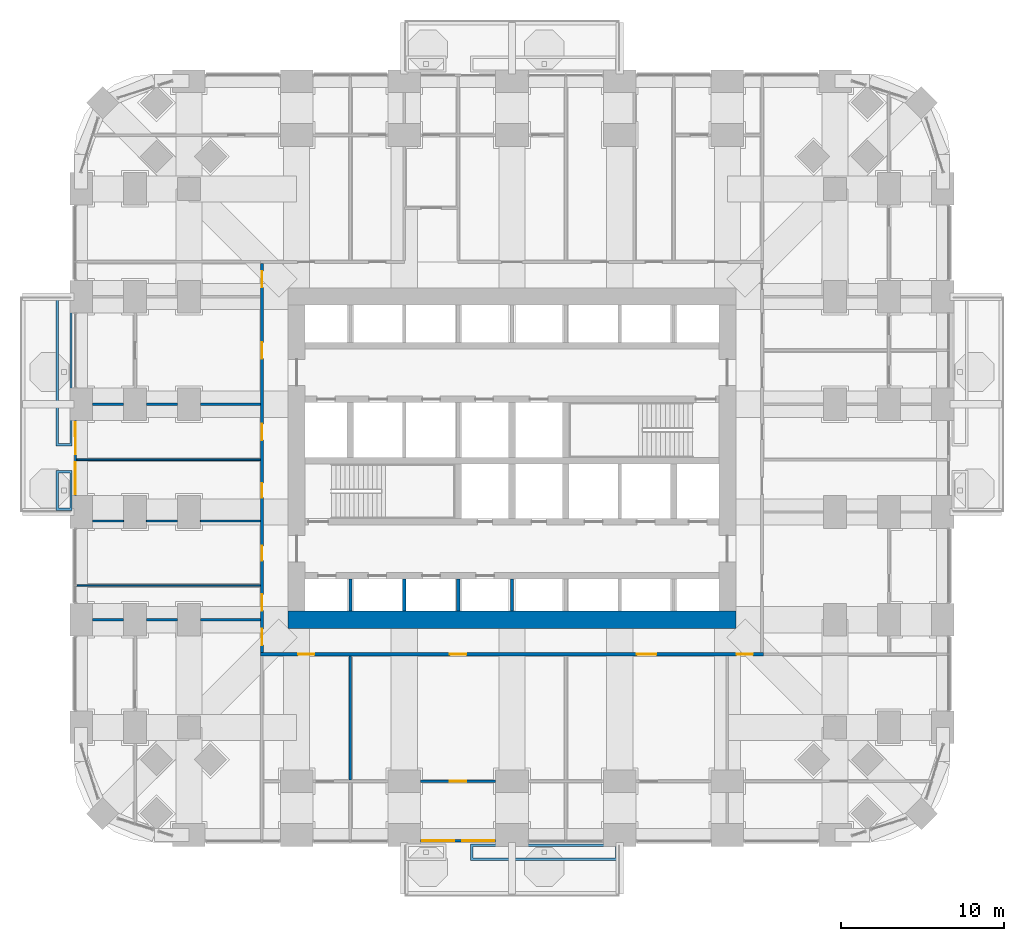
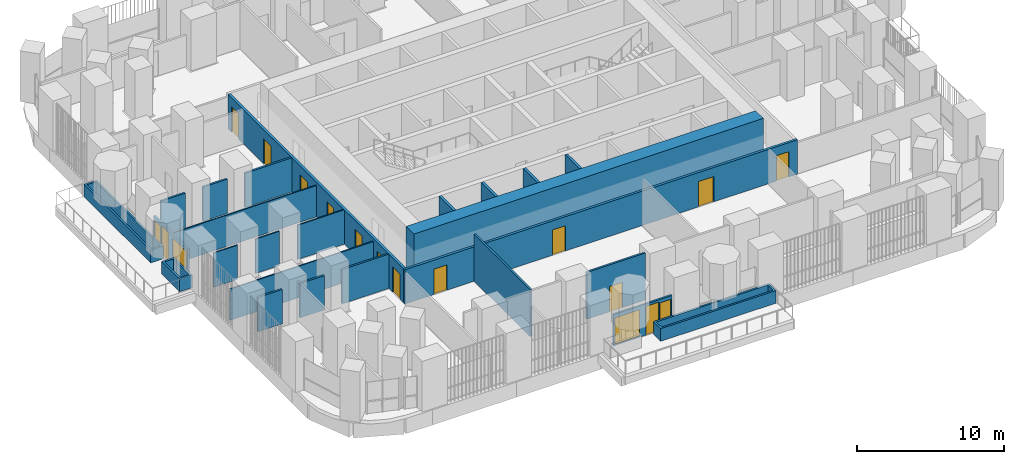
# One storey, part 16 of 25: 25 walls, 14 doors, 4 windows, 18 openings.
"""IFC4 building model written with IfcOpenShell, lengths in metres."""

import ifcopenshell
import ifcopenshell.guid

model = None  # the IFC model being written
_history = None  # IfcOwnerHistory: only IFC2X3 demands one
_inside = {}  # id of a spatial element -> (the spatial element, [elements in it])
_under = {}  # id of a project, library or spatial element -> (it, [spatial elements below it])
_declared = {}  # id of a project -> (the project, [libraries it declares])
_typed = {}  # id of a type object -> (the type object, [elements of that type])
_made_of = {}  # id of a material, layer set ... -> (it, [elements and type objects made of it])


def new_model(schema):
    """Start an empty IFC model of exactly this schema.

    Asked for "IFC4X3", IfcOpenShell would pick the latest addendum, in which some entities
    have other attributes; the version numbers below select the first issue.
    IFC2X3 requires an IfcOwnerHistory on every rooted entity: one is made here for all.
    """
    global model, _history
    if schema == "IFC4X3":
        model = ifcopenshell.file(schema_version=(4, 3, 0, 0))
    else:
        model = ifcopenshell.file(schema=schema)
    _inside.clear()
    _under.clear()
    _declared.clear()
    _typed.clear()
    _made_of.clear()
    _history = None
    if model.schema == "IFC2X3":
        org = make("IfcOrganization", Name="unknown")
        user = make(
            "IfcPersonAndOrganization",
            ThePerson=make("IfcPerson", FamilyName="unknown"),
            TheOrganization=org,
        )
        app = make(
            "IfcApplication",
            ApplicationDeveloper=org,
            Version="unknown",
            ApplicationFullName="unknown",
            ApplicationIdentifier="unknown",
        )
        _history = make(
            "IfcOwnerHistory",
            OwningUser=user,
            OwningApplication=app,
            ChangeAction="ADDED",
            CreationDate=0,
        )
    return model


def make(cls, **values):
    """One entity of the class cls with the attributes given. An attribute that is None is left unset."""
    return model.create_entity(
        cls, **{name: value for name, value in values.items() if value is not None}
    )


def rooted(cls, **values):
    """An entity with a GlobalId (a new one), such as an element, a storey or a relation."""
    return make(cls, GlobalId=ifcopenshell.guid.new(), OwnerHistory=_history, **values)


def si_unit(unit_type, name, prefix=None):
    """IfcSIUnit, for example si_unit("LENGTHUNIT", "METRE", prefix="MILLI")."""
    return make("IfcSIUnit", UnitType=unit_type, Prefix=prefix, Name=name)


def assignment(units):
    """IfcUnitAssignment: the units of a project."""
    return None if units is None else make("IfcUnitAssignment", Units=units)


def point(xyz):
    """IfcCartesianPoint."""
    return None if xyz is None else make("IfcCartesianPoint", Coordinates=xyz)


def direction(xyz):
    """IfcDirection."""
    return None if xyz is None else make("IfcDirection", DirectionRatios=xyz)


def frame(location, z_axis=None, x_axis=None):
    """IfcAxis2Placement3D, a coordinate frame: its origin and axes. An axis left out is left unset."""
    return make(
        "IfcAxis2Placement3D",
        Location=point(location),
        Axis=direction(z_axis),
        RefDirection=direction(x_axis),
    )


def frame_2d(location, x_axis=None):
    """IfcAxis2Placement2D, a coordinate frame in the plane: its origin and x axis."""
    return make(
        "IfcAxis2Placement2D", Location=point(location), RefDirection=direction(x_axis)
    )


def origin():
    """The frame at (0, 0, 0) with its axes left unset."""
    return frame((0.0, 0.0, 0.0))


def place(relative_to, where):
    """IfcLocalPlacement: puts the frame where relative to a parent placement (None: the world)."""
    return make(
        "IfcLocalPlacement", PlacementRelTo=relative_to, RelativePlacement=where
    )


def context(
    kind, dimensions, precision=None, world=None, true_north=None, identifier=None
):
    """IfcGeometricRepresentationContext, for example the 3D "Model" context."""
    return make(
        "IfcGeometricRepresentationContext",
        ContextIdentifier=identifier,
        ContextType=kind,
        CoordinateSpaceDimension=dimensions,
        Precision=precision,
        WorldCoordinateSystem=world,
        TrueNorth=true_north,
    )


def subcontext(parent, identifier, kind, view, scale=None):
    """IfcGeometricRepresentationSubContext, for example "Body" below "Model"."""
    return make(
        "IfcGeometricRepresentationSubContext",
        ContextIdentifier=identifier,
        ContextType=kind,
        ParentContext=parent,
        TargetScale=scale,
        TargetView=view,
    )


def project(units=None, contexts=None):
    """IfcProject with its units and contexts."""
    return rooted(
        "IfcProject",
        Name="project",
        RepresentationContexts=contexts,
        UnitsInContext=assignment(units),
    )


def spatial(cls, under=None, at=None, **own):
    """A site, building, storey or space (cls), placed at a placement, below another one or the project."""
    s = rooted(cls, ObjectPlacement=at, **own)
    if under is not None:
        _under.setdefault(under.id(), (under, []))[1].append(s)
    return s


def polyline(points):
    """IfcPolyline through the points."""
    return make("IfcPolyline", Points=[point(p) for p in points])


def profile(cls, at=None, kind="AREA", **sizes):
    """A parametric profile (cls). Its sizes go by their IFC names, for example OverallWidth=200.0."""
    return make(cls, ProfileType=kind, Position=at, **sizes)


def rectangle(**sizes):
    """IfcRectangleProfileDef."""
    return profile("IfcRectangleProfileDef", **sizes)


def outline(outer, holes=None, kind="AREA"):
    """IfcArbitraryClosedProfileDef: a profile drawn as a closed curve; with holes, ...WithVoids."""
    if holes is None:
        return make("IfcArbitraryClosedProfileDef", ProfileType=kind, OuterCurve=outer)
    return make(
        "IfcArbitraryProfileDefWithVoids",
        ProfileType=kind,
        OuterCurve=outer,
        InnerCurves=holes,
    )


def extrude(swept, where, along, depth):
    """IfcExtrudedAreaSolid: the profile swept, set in the frame where, extruded along a direction by depth."""
    return make(
        "IfcExtrudedAreaSolid",
        SweptArea=swept,
        Position=where,
        ExtrudedDirection=direction(along),
        Depth=depth,
    )


def shape(context_of_items, identifier, shape_type, items):
    """IfcShapeRepresentation: the items that make up one representation, for example the "Body"."""
    return make(
        "IfcShapeRepresentation",
        ContextOfItems=context_of_items,
        RepresentationIdentifier=identifier,
        RepresentationType=shape_type,
        Items=items,
    )


def material(Name=None, Category=None):
    """IfcMaterial."""
    return make("IfcMaterial", Name=Name, Category=Category)


def layer(
    of_material, thickness, ventilated=None, Name=None, Category=None, Priority=None
):
    """IfcMaterialLayer: one layer of a wall or slab, of a material (None: an air gap)."""
    return make(
        "IfcMaterialLayer",
        Material=of_material,
        LayerThickness=thickness,
        IsVentilated=ventilated,
        Name=Name,
        Category=Category,
        Priority=Priority,
    )


def layer_set(layers, Name=None):
    """IfcMaterialLayerSet."""
    return make("IfcMaterialLayerSet", MaterialLayers=layers, LayerSetName=Name)


def made_of(thing, what):
    """Note that an element or type object is made of a material, layer set ...; save() writes the relation."""
    if what is not None:
        _made_of.setdefault(what.id(), (what, []))[1].append(thing)
    return thing


def type_object(cls, material=None, **own):
    """A type object (cls), such as IfcWallType, which elements share."""
    return made_of(rooted(cls, **own), material)


def element(
    cls,
    number,
    at=None,
    inside=None,
    cuts=None,
    type_object=None,
    material=None,
    context=None,
    identifier="Body",
    shape_type=None,
    held_by="IfcProductDefinitionShape",
    body=None,
    shapes=None,
    **own,
):
    """One element of the class cls, such as IfcWall. Its Tag is "e" and its number.

    at: its placement. inside: the storey or other place that contains it. cuts: it is an
    opening in that element (IfcRelVoidsElement). A single representation is given by context,
    identifier, shape_type and body (its items); several are given by shapes. held_by: the class
    of the entity that holds the representations. save() writes the other relations.
    """
    e = rooted(cls, Tag="e%d" % number, ObjectPlacement=at, **own)
    if body is not None:
        shapes = [shape(context, identifier, shape_type, body)]
    if shapes is not None:
        e.Representation = make(held_by, Representations=shapes)
    if inside is not None:
        _inside.setdefault(inside.id(), (inside, []))[1].append(e)
    if cuts is not None:
        rooted(
            "IfcRelVoidsElement", RelatingBuildingElement=cuts, RelatedOpeningElement=e
        )
    if type_object is not None:
        _typed.setdefault(type_object.id(), (type_object, []))[1].append(e)
    return made_of(e, material)


def fill(opening, filler):
    """IfcRelFillsElement: the door or window that sits in an opening."""
    return rooted(
        "IfcRelFillsElement",
        RelatingOpeningElement=opening,
        RelatedBuildingElement=filler,
    )


def aggregate(whole, parts):
    """IfcRelAggregates: a whole, such as a stair, and the parts it consists of."""
    return rooted("IfcRelAggregates", RelatingObject=whole, RelatedObjects=parts)


def save(model, path):
    """Write the relations noted so far, then the file.

    IfcRelAggregates (storeys below a building ...), IfcRelContainedInSpatialStructure (elements
    in a storey), IfcRelDefinesByType, IfcRelAssociatesMaterial and IfcRelDeclares: one each for
    every whole, place, type object, material and project.
    """
    for whole, parts in _under.values():
        aggregate(whole, parts)
    for where, things in _inside.values():
        rooted(
            "IfcRelContainedInSpatialStructure",
            RelatedElements=things,
            RelatingStructure=where,
        )
    for kind, things in _typed.values():
        rooted("IfcRelDefinesByType", RelatedObjects=things, RelatingType=kind)
    for what, things in _made_of.values():
        rooted("IfcRelAssociatesMaterial", RelatedObjects=things, RelatingMaterial=what)
    for by, libraries in _declared.values():
        rooted("IfcRelDeclares", RelatingContext=by, RelatedDefinitions=libraries)
    model.write(path)


model = new_model("IFC4")

# Units and contexts
model_context = context("Model", 3, precision=1e-05, world=origin(), true_north=direction((0.0, 1.0)))
body_context = subcontext(model_context, "Body", "Model", "MODEL_VIEW")
ifc_project = project(units=[si_unit("LENGTHUNIT", "METRE"), si_unit("AREAUNIT", "SQUARE_METRE"), si_unit("VOLUMEUNIT", "CUBIC_METRE"), si_unit("PLANEANGLEUNIT", "RADIAN"), si_unit("MASSUNIT", "GRAM", prefix="KILO")], contexts=[model_context])

# Site, building, storey
site_placement = place(None, origin())
site = spatial("IfcSite", under=ifc_project, at=site_placement, CompositionType="ELEMENT")
building_placement = place(site_placement, origin())
building = spatial("IfcBuilding", under=site, at=building_placement, Name="Cobogo Forest Laboratory Tower", CompositionType="ELEMENT")
storey_placement = place(building_placement, frame((0.0, 0.0, 67.5)))
storey = spatial("IfcBuildingStorey", under=building, at=storey_placement, Name="L15", CompositionType="ELEMENT", Elevation=67.5)

# Wall
ifc_material_1 = material(Name="Concrete HA-50 (C50/60)", Category="concrete")
ifc_layer_1 = layer(ifc_material_1, 1.050048828125)
ifc_layer_set_1 = layer_set([ifc_layer_1], Name="CW1050 core outer wall 1050")
wall_type_1 = type_object("IfcWallType", Name="CW1050 core outer wall 1050", PredefinedType="SHEAR", material=ifc_layer_set_1)
wall_1_placement = place(storey_placement, frame((12.675048828125, 13.199951171875, 0.0), z_axis=(0.0, 0.0, 1.0), x_axis=(1.0, 0.0, 0.0)))
element("IfcWall", 1, at=wall_1_placement, inside=storey, type_object=wall_type_1, Name="Core wall CO-S L15", PredefinedType="SHEAR", context=body_context, shape_type="SweptSolid", body=[
    extrude(rectangle(XDim=27.449951171875, YDim=1.050048828125, at=frame_2d((13.72509765625, 0.0))), origin(), (0.0, 0.0, 1.0), 4.199951171875),
])

# Wall, openings, door, windows
ifc_material_2 = material(Name="Aluminium framed glazed screen", Category="aluminium")
ifc_layer_2 = layer(ifc_material_2, 0.14990234375)
ifc_layer_set_2 = layer_set([ifc_layer_2], Name="GS1 glazed door screen 150")
wall_type_2 = type_object("IfcWallType", Name="GS1 glazed door screen 150", PredefinedType="SOLIDWALL", material=ifc_layer_set_2)
wall_2_placement = place(storey_placement, frame((20.800048828125, -0.35009765625, 0.0), z_axis=(0.0, 0.0, 1.0), x_axis=(1.0, 0.0, 0.0)))
wall_2 = element("IfcWall", 2, at=wall_2_placement, inside=storey, type_object=wall_type_2, Name="Door screen BAL-S1 L15", PredefinedType="SOLIDWALL", context=body_context, shape_type="SweptSolid", body=[
    extrude(rectangle(XDim=4.599853515625, YDim=0.14990234375, at=frame_2d((2.2998046875, 0.0))), origin(), (0.0, 0.0, 1.0), 2.60009765625),
])
opening_1_placement = place(wall_2_placement, frame((2.550048828125, 0.0, 0.0)))
opening_1 = element("IfcOpeningElement", 3, at=opening_1_placement, cuts=wall_2, Name="Opening L15-D01", PredefinedType="OPENING", context=body_context, shape_type="SweptSolid", body=[
    extrude(rectangle(XDim=1.0, YDim=2.39990234375, at=frame_2d((0.5, 1.199951171875))), frame((0.0, 0.0849609375, 0.0), z_axis=(0.0, -1.0, 0.0), x_axis=(1.0, 0.0, 0.0)), (0.0, 0.0, 1.0), 0.169921875),
])
opening_2_placement = place(wall_2_placement, frame((0.10009765625, 0.0, 0.10009765625)))
opening_2 = element("IfcOpeningElement", 4, at=opening_2_placement, cuts=wall_2, Name="Opening L15-W01", PredefinedType="OPENING", context=body_context, shape_type="SweptSolid", body=[
    extrude(rectangle(XDim=1.949951171875, YDim=2.199951171875, at=frame_2d((0.97509765625, 1.10009765625))), frame((0.0, 0.0849609375, 0.0), z_axis=(0.0, -1.0, 0.0), x_axis=(1.0, 0.0, 0.0)), (0.0, 0.0, 1.0), 0.169921875),
])
opening_3_placement = place(wall_2_placement, frame((3.64990234375, 0.0, 0.10009765625)))
opening_3 = element("IfcOpeningElement", 5, at=opening_3_placement, cuts=wall_2, Name="Opening L15-W02", PredefinedType="OPENING", context=body_context, shape_type="SweptSolid", body=[
    extrude(rectangle(XDim=0.85009765625, YDim=2.199951171875, at=frame_2d((0.425048828125, 1.10009765625))), frame((0.0, 0.0849609375, 0.0), z_axis=(0.0, -1.0, 0.0), x_axis=(1.0, 0.0, 0.0)), (0.0, 0.0, 1.0), 0.169921875),
])
ifc_material_3 = material(Name="Aluminium glazed door", Category="aluminium")
door_type_1 = type_object("IfcDoorType", Name="DB1 balcony door 1000 glazed", OperationType="SINGLE_SWING_LEFT", PredefinedType="DOOR", material=ifc_material_3)
door_1_placement = place(opening_1_placement, origin())
door_1 = element("IfcDoor", 6, at=door_1_placement, inside=storey, type_object=door_type_1, Name="Door L15-BAL-S1", OperationType="SINGLE_SWING_RIGHT", OverallHeight=2.39990234375, OverallWidth=1.0, PredefinedType="DOOR", context=body_context, shape_type="SweptSolid", body=[
    extrude(rectangle(XDim=1.0, YDim=2.39990234375, at=frame_2d((0.5, 1.199951171875))), frame((0.0, 0.02490234375, 0.0), z_axis=(0.0, -1.0, 0.0), x_axis=(1.0, 0.0, 0.0)), (0.0, 0.0, 1.0), 0.050048828125),
])
fill(opening_1, door_1)
ifc_material_4 = material(Name="Aluminium framed glazing", Category="aluminium")
window_type_1 = type_object("IfcWindowType", Name="WG7 fixed glazed light 1950x2200", PartitioningType="SINGLE_PANEL", PredefinedType="WINDOW", material=ifc_material_4)
window_1_placement = place(opening_2_placement, origin())
window_1 = element("IfcWindow", 7, at=window_1_placement, inside=storey, type_object=window_type_1, Name="Window L15-BAL-S1-1", OverallHeight=2.199951171875, OverallWidth=1.949951171875, PartitioningType="SINGLE_PANEL", PredefinedType="WINDOW", context=body_context, shape_type="SweptSolid", body=[
    extrude(rectangle(XDim=1.949951171875, YDim=2.199951171875, at=frame_2d((0.97509765625, 1.10009765625))), frame((0.0, 0.030029296875, 0.0), z_axis=(0.0, -1.0, 0.0), x_axis=(1.0, 0.0, 0.0)), (0.0, 0.0, 1.0), 0.06005859375),
])
fill(opening_2, window_1)
window_type_2 = type_object("IfcWindowType", Name="WG8 fixed glazed light 850x2200", PartitioningType="SINGLE_PANEL", PredefinedType="WINDOW", material=ifc_material_4)
window_2_placement = place(opening_3_placement, origin())
window_2 = element("IfcWindow", 8, at=window_2_placement, inside=storey, type_object=window_type_2, Name="Window L15-BAL-S1-2", OverallHeight=2.199951171875, OverallWidth=0.85009765625, PartitioningType="SINGLE_PANEL", PredefinedType="WINDOW", context=body_context, shape_type="SweptSolid", body=[
    extrude(rectangle(XDim=0.85009765625, YDim=2.199951171875, at=frame_2d((0.425048828125, 1.10009765625))), frame((0.0, 0.030029296875, 0.0), z_axis=(0.0, -1.0, 0.0), x_axis=(1.0, 0.0, 0.0)), (0.0, 0.0, 1.0), 0.06005859375),
])
fill(opening_3, window_2)

wall_3_placement = place(storey_placement, frame((-0.35009765625, 25.39990234375, 0.0), z_axis=(0.0, 0.0, 1.0), x_axis=(0.0, -1.0, 0.0)))
wall_3 = element("IfcWall", 9, at=wall_3_placement, inside=storey, type_object=wall_type_2, Name="Door screen BAL-W1 L15", PredefinedType="SOLIDWALL", context=body_context, shape_type="SweptSolid", body=[
    extrude(rectangle(XDim=4.599853515625, YDim=0.14990234375, at=frame_2d((2.2998046875, 0.0))), origin(), (0.0, 0.0, 1.0), 2.60009765625),
])
opening_4_placement = place(wall_3_placement, frame((1.050048828125, 0.0, 0.0)))
opening_4 = element("IfcOpeningElement", 10, at=opening_4_placement, cuts=wall_3, Name="Opening L15-D23", PredefinedType="OPENING", context=body_context, shape_type="SweptSolid", body=[
    extrude(rectangle(XDim=1.0, YDim=2.39990234375, at=frame_2d((0.5, 1.199951171875))), frame((0.0, 0.0849609375, 0.0), z_axis=(0.0, -1.0, 0.0), x_axis=(1.0, 0.0, 0.0)), (0.0, 0.0, 1.0), 0.169921875),
])
opening_5_placement = place(wall_3_placement, frame((0.10009765625, 0.0, 0.10009765625)))
opening_5 = element("IfcOpeningElement", 11, at=opening_5_placement, cuts=wall_3, Name="Opening L15-W05", PredefinedType="OPENING", context=body_context, shape_type="SweptSolid", body=[
    extrude(rectangle(XDim=0.85009765625, YDim=2.199951171875, at=frame_2d((0.425048828125, 1.10009765625))), frame((0.0, 0.0849609375, 0.0), z_axis=(0.0, -1.0, 0.0), x_axis=(1.0, 0.0, 0.0)), (0.0, 0.0, 1.0), 0.169921875),
])
opening_6_placement = place(wall_3_placement, frame((2.550048828125, 0.0, 0.10009765625)))
opening_6 = element("IfcOpeningElement", 12, at=opening_6_placement, cuts=wall_3, Name="Opening L15-W03", PredefinedType="OPENING", context=body_context, shape_type="SweptSolid", body=[
    extrude(rectangle(XDim=1.949951171875, YDim=2.199951171875, at=frame_2d((0.97509765625, 1.10009765625))), frame((0.0, 0.0849609375, 0.0), z_axis=(0.0, -1.0, 0.0), x_axis=(1.0, 0.0, 0.0)), (0.0, 0.0, 1.0), 0.169921875),
])
door_2_placement = place(opening_4_placement, origin())
door_2 = element("IfcDoor", 13, at=door_2_placement, inside=storey, type_object=door_type_1, Name="Door L15-BAL-W1", OperationType="SINGLE_SWING_LEFT", OverallHeight=2.39990234375, OverallWidth=1.0, PredefinedType="DOOR", context=body_context, shape_type="SweptSolid", body=[
    extrude(rectangle(XDim=1.0, YDim=2.39990234375, at=frame_2d((0.5, 1.199951171875))), frame((0.0, 0.02490234375, 0.0), z_axis=(0.0, -1.0, 0.0), x_axis=(1.0, 0.0, 0.0)), (0.0, 0.0, 1.0), 0.050048828125),
])
fill(opening_4, door_2)
window_3_placement = place(opening_6_placement, origin())
window_3 = element("IfcWindow", 14, at=window_3_placement, inside=storey, type_object=window_type_1, Name="Window L15-BAL-W1-2", OverallHeight=2.199951171875, OverallWidth=1.949951171875, PartitioningType="SINGLE_PANEL", PredefinedType="WINDOW", context=body_context, shape_type="SweptSolid", body=[
    extrude(rectangle(XDim=1.949951171875, YDim=2.199951171875, at=frame_2d((0.97509765625, 1.10009765625))), frame((0.0, 0.030029296875, 0.0), z_axis=(0.0, -1.0, 0.0), x_axis=(1.0, 0.0, 0.0)), (0.0, 0.0, 1.0), 0.06005859375),
])
fill(opening_6, window_3)
window_4_placement = place(opening_5_placement, origin())
window_4 = element("IfcWindow", 15, at=window_4_placement, inside=storey, type_object=window_type_2, Name="Window L15-BAL-W1-1", OverallHeight=2.199951171875, OverallWidth=0.85009765625, PartitioningType="SINGLE_PANEL", PredefinedType="WINDOW", context=body_context, shape_type="SweptSolid", body=[
    extrude(rectangle(XDim=0.85009765625, YDim=2.199951171875, at=frame_2d((0.425048828125, 1.10009765625))), frame((0.0, 0.030029296875, 0.0), z_axis=(0.0, -1.0, 0.0), x_axis=(1.0, 0.0, 0.0)), (0.0, 0.0, 1.0), 0.06005859375),
])
fill(opening_5, window_4)

# Wall, opening, door
ifc_material_5 = material(Name="Gypsum board on steel studs", Category="steel")
ifc_layer_3 = layer(ifc_material_5, 0.14990234375)
ifc_layer_set_3 = layer_set([ifc_layer_3], Name="PT1 laboratory partition 150")
wall_type_3 = type_object("IfcWallType", Name="PT1 laboratory partition 150", PredefinedType="PARTITIONING", material=ifc_layer_set_3)
wall_4_placement = place(storey_placement, frame((20.800048828125, 3.300048828125, 0.0), z_axis=(0.0, 0.0, 1.0), x_axis=(1.0, 0.0, 0.0)))
wall_4 = element("IfcWall", 16, at=wall_4_placement, inside=storey, type_object=wall_type_3, Name="Partition STRIP-S-3 L15", PredefinedType="PARTITIONING", context=body_context, shape_type="SweptSolid", body=[
    extrude(rectangle(XDim=4.599853515625, YDim=0.14990234375, at=frame_2d((2.2998046875, 0.0))), origin(), (0.0, 0.0, 1.0), 3.89990234375),
])
opening_7_placement = place(wall_4_placement, frame((1.800048828125, 0.0, 0.0)))
opening_7 = element("IfcOpeningElement", 17, at=opening_7_placement, cuts=wall_4, Name="Opening L15-D03", PredefinedType="OPENING", context=body_context, shape_type="SweptSolid", body=[
    extrude(rectangle(XDim=1.0, YDim=2.10009765625, at=frame_2d((0.5, 1.050048828125))), frame((0.0, 0.0849609375, 0.0), z_axis=(0.0, -1.0, 0.0), x_axis=(1.0, 0.0, 0.0)), (0.0, 0.0, 1.0), 0.169921875),
])
ifc_material_6 = material(Name="Timber fire door", Category="wood")
door_type_2 = type_object("IfcDoorType", Name="FD2 fire door 1000 EI2 30", OperationType="SINGLE_SWING_LEFT", PredefinedType="DOOR", material=ifc_material_6)
door_3_placement = place(opening_7_placement, origin())
door_3 = element("IfcDoor", 18, at=door_3_placement, inside=storey, type_object=door_type_2, Name="Door L15-S2W", OperationType="SINGLE_SWING_LEFT", OverallHeight=2.10009765625, OverallWidth=1.0, PredefinedType="DOOR", context=body_context, shape_type="SweptSolid", body=[
    extrude(rectangle(XDim=1.0, YDim=2.10009765625, at=frame_2d((0.5, 1.050048828125))), frame((0.0, 0.02490234375, 0.0), z_axis=(0.0, -1.0, 0.0), x_axis=(1.0, 0.0, 0.0)), (0.0, 0.0, 1.0), 0.050048828125),
])
fill(opening_7, door_3)

# Walls
wall_5_placement = place(storey_placement, frame((16.5, 3.375, 0.0), z_axis=(0.0, 0.0, 1.0), x_axis=(0.0, 1.0, 0.0)))
element("IfcWall", 19, at=wall_5_placement, inside=storey, type_object=wall_type_3, Name="Partition CUT-S16.5b-1 L15", PredefinedType="PARTITIONING", context=body_context, shape_type="SweptSolid", body=[
    extrude(rectangle(XDim=7.60009765625, YDim=0.14990234375, at=frame_2d((3.800048828125, 0.0))), origin(), (0.0, 0.0, 1.0), 3.89990234375),
])
wall_6_placement = place(storey_placement, frame((0.699951171875, 13.199951171875, 0.0), z_axis=(0.0, 0.0, 1.0), x_axis=(1.0, 0.0, 0.0)))
element("IfcWall", 20, at=wall_6_placement, inside=storey, type_object=wall_type_3, Name="Partition CUT-W13.2-1 L15", PredefinedType="PARTITIONING", context=body_context, shape_type="SweptSolid", body=[
    extrude(rectangle(XDim=1.900146484375, YDim=0.14990234375, at=frame_2d((0.9501953125, 0.0))), origin(), (0.0, 0.0, 1.0), 2.85009765625),
])
wall_7_placement = place(storey_placement, frame((4.0, 13.199951171875, 0.0), z_axis=(0.0, 0.0, 1.0), x_axis=(1.0, 0.0, 0.0)))
element("IfcWall", 21, at=wall_7_placement, inside=storey, type_object=wall_type_3, Name="Partition CUT-W13.2-2 L15", PredefinedType="PARTITIONING", context=body_context, shape_type="SweptSolid", body=[
    extrude(rectangle(XDim=1.89990234375, YDim=0.14990234375, at=frame_2d((0.949951171875, 0.0))), origin(), (0.0, 0.0, 1.0), 2.85009765625),
])
wall_8_placement = place(storey_placement, frame((7.300048828125, 13.199951171875, 0.0), z_axis=(0.0, 0.0, 1.0), x_axis=(1.0, 0.0, 0.0)))
element("IfcWall", 22, at=wall_8_placement, inside=storey, type_object=wall_type_3, Name="Partition CUT-W13.2-3 L15", PredefinedType="PARTITIONING", context=body_context, shape_type="SweptSolid", body=[
    extrude(rectangle(XDim=3.675048828125, YDim=0.14990234375, at=frame_2d((1.83740234375, 0.0))), origin(), (0.0, 0.0, 1.0), 2.85009765625),
])
wall_9_placement = place(storey_placement, frame((0.699951171875, 26.39990234375, 0.0), z_axis=(0.0, 0.0, 1.0), x_axis=(1.0, 0.0, 0.0)))
element("IfcWall", 23, at=wall_9_placement, inside=storey, type_object=wall_type_3, Name="Partition CUT-W26.4-1 L15", PredefinedType="PARTITIONING", context=body_context, shape_type="SweptSolid", body=[
    extrude(rectangle(XDim=1.900146484375, YDim=0.14990234375, at=frame_2d((0.9501953125, 0.0))), origin(), (0.0, 0.0, 1.0), 2.85009765625),
])
wall_10_placement = place(storey_placement, frame((4.0, 26.39990234375, 0.0), z_axis=(0.0, 0.0, 1.0), x_axis=(1.0, 0.0, 0.0)))
element("IfcWall", 24, at=wall_10_placement, inside=storey, type_object=wall_type_3, Name="Partition CUT-W26.4-2 L15", PredefinedType="PARTITIONING", context=body_context, shape_type="SweptSolid", body=[
    extrude(rectangle(XDim=1.89990234375, YDim=0.14990234375, at=frame_2d((0.949951171875, 0.0))), origin(), (0.0, 0.0, 1.0), 2.85009765625),
])
wall_11_placement = place(storey_placement, frame((7.300048828125, 26.39990234375, 0.0), z_axis=(0.0, 0.0, 1.0), x_axis=(1.0, 0.0, 0.0)))
element("IfcWall", 25, at=wall_11_placement, inside=storey, type_object=wall_type_3, Name="Partition CUT-W26.4-3 L15", PredefinedType="PARTITIONING", context=body_context, shape_type="SweptSolid", body=[
    extrude(rectangle(XDim=3.675048828125, YDim=0.14990234375, at=frame_2d((1.83740234375, 0.0))), origin(), (0.0, 0.0, 1.0), 2.85009765625),
])

# Wall, openings, doors
ifc_layer_4 = layer(ifc_material_5, 0.199951171875)
ifc_layer_set_4 = layer_set([ifc_layer_4], Name="PT2 fire-rated corridor partition 200")
wall_type_4 = type_object("IfcWallType", Name="PT2 fire-rated corridor partition 200", PredefinedType="PARTITIONING", material=ifc_layer_set_4)
wall_12_placement = place(storey_placement, frame((10.97509765625, 11.074951171875, 0.0), z_axis=(0.0, 0.0, 1.0), x_axis=(1.0, 0.0, 0.0)))
wall_12 = element("IfcWall", 26, at=wall_12_placement, inside=storey, type_object=wall_type_4, Name="Partition CORR-S L15", PredefinedType="PARTITIONING", context=body_context, shape_type="SweptSolid", body=[
    extrude(rectangle(XDim=30.849853515625, YDim=0.199951171875, at=frame_2d((15.4248046875, 0.0))), origin(), (0.0, 0.0, 1.0), 2.85009765625),
])
opening_8_placement = place(wall_12_placement, frame((2.3125, 0.0, 0.0)))
opening_8 = element("IfcOpeningElement", 27, at=opening_8_placement, cuts=wall_12, Name="Opening L15-D07", PredefinedType="OPENING", context=body_context, shape_type="SweptSolid", body=[
    extrude(rectangle(XDim=1.0, YDim=2.10009765625, at=frame_2d((0.5, 1.050048828125))), frame((0.0, 0.10986328125, 0.0), z_axis=(0.0, -1.0, 0.0), x_axis=(1.0, 0.0, 0.0)), (0.0, 0.0, 1.0), 0.219970703125),
])
opening_9_placement = place(wall_12_placement, frame((11.625, 0.0, 0.0)))
opening_9 = element("IfcOpeningElement", 28, at=opening_9_placement, cuts=wall_12, Name="Opening L15-D08", PredefinedType="OPENING", context=body_context, shape_type="SweptSolid", body=[
    extrude(rectangle(XDim=1.0, YDim=2.10009765625, at=frame_2d((0.5, 1.050048828125))), frame((0.0, 0.10986328125, 0.0), z_axis=(0.0, -1.0, 0.0), x_axis=(1.0, 0.0, 0.0)), (0.0, 0.0, 1.0), 0.219970703125),
])
opening_10_placement = place(wall_12_placement, frame((23.074951171875, 0.0, 0.0)))
opening_10 = element("IfcOpeningElement", 29, at=opening_10_placement, cuts=wall_12, Name="Opening L15-D09", PredefinedType="OPENING", context=body_context, shape_type="SweptSolid", body=[
    extrude(rectangle(XDim=1.199951171875, YDim=2.10009765625, at=frame_2d((0.60009765625, 1.050048828125))), frame((0.0, 0.10986328125, 0.0), z_axis=(0.0, -1.0, 0.0), x_axis=(1.0, 0.0, 0.0)), (0.0, 0.0, 1.0), 0.219970703125),
])
opening_11_placement = place(wall_12_placement, frame((29.1875, 0.0, 0.0)))
opening_11 = element("IfcOpeningElement", 30, at=opening_11_placement, cuts=wall_12, Name="Opening L15-D10", PredefinedType="OPENING", context=body_context, shape_type="SweptSolid", body=[
    extrude(rectangle(XDim=1.0, YDim=2.10009765625, at=frame_2d((0.5, 1.050048828125))), frame((0.0, 0.10986328125, 0.0), z_axis=(0.0, -1.0, 0.0), x_axis=(1.0, 0.0, 0.0)), (0.0, 0.0, 1.0), 0.219970703125),
])
ifc_material_7 = material(Name="Timber door", Category="wood")
door_type_3 = type_object("IfcDoorType", Name="D2 laboratory door 1200 unequal pair", OperationType="DOUBLE_DOOR_SINGLE_SWING", PredefinedType="DOOR", material=ifc_material_7)
door_4_placement = place(opening_10_placement, origin())
door_4 = element("IfcDoor", 31, at=door_4_placement, inside=storey, type_object=door_type_3, Name="Door L15-S3", OperationType="DOUBLE_DOOR_SINGLE_SWING", OverallHeight=2.10009765625, OverallWidth=1.199951171875, PredefinedType="DOOR", context=body_context, shape_type="SweptSolid", body=[
    extrude(rectangle(XDim=1.199951171875, YDim=2.10009765625, at=frame_2d((0.60009765625, 1.050048828125))), frame((0.0, 0.02490234375, 0.0), z_axis=(0.0, -1.0, 0.0), x_axis=(1.0, 0.0, 0.0)), (0.0, 0.0, 1.0), 0.050048828125),
])
fill(opening_10, door_4)
door_5_placement = place(opening_8_placement, origin())
door_5 = element("IfcDoor", 32, at=door_5_placement, inside=storey, type_object=door_type_2, Name="Door L15-S1", OperationType="SINGLE_SWING_LEFT", OverallHeight=2.10009765625, OverallWidth=1.0, PredefinedType="DOOR", context=body_context, shape_type="SweptSolid", body=[
    extrude(rectangle(XDim=1.0, YDim=2.10009765625, at=frame_2d((0.5, 1.050048828125))), frame((0.0, 0.02490234375, 0.0), z_axis=(0.0, -1.0, 0.0), x_axis=(1.0, 0.0, 0.0)), (0.0, 0.0, 1.0), 0.050048828125),
])
fill(opening_8, door_5)
door_6_placement = place(opening_9_placement, origin())
door_6 = element("IfcDoor", 33, at=door_6_placement, inside=storey, type_object=door_type_2, Name="Door L15-S2", OperationType="SINGLE_SWING_LEFT", OverallHeight=2.10009765625, OverallWidth=1.0, PredefinedType="DOOR", context=body_context, shape_type="SweptSolid", body=[
    extrude(rectangle(XDim=1.0, YDim=2.10009765625, at=frame_2d((0.5, 1.050048828125))), frame((0.0, 0.02490234375, 0.0), z_axis=(0.0, -1.0, 0.0), x_axis=(1.0, 0.0, 0.0)), (0.0, 0.0, 1.0), 0.050048828125),
])
fill(opening_9, door_6)
door_7_placement = place(opening_11_placement, origin())
door_7 = element("IfcDoor", 34, at=door_7_placement, inside=storey, type_object=door_type_2, Name="Door L15-S4", OperationType="SINGLE_SWING_RIGHT", OverallHeight=2.10009765625, OverallWidth=1.0, PredefinedType="DOOR", context=body_context, shape_type="SweptSolid", body=[
    extrude(rectangle(XDim=1.0, YDim=2.10009765625, at=frame_2d((0.5, 1.050048828125))), frame((0.0, 0.02490234375, 0.0), z_axis=(0.0, -1.0, 0.0), x_axis=(1.0, 0.0, 0.0)), (0.0, 0.0, 1.0), 0.050048828125),
])
fill(opening_11, door_7)

wall_13_placement = place(storey_placement, frame((11.074951171875, 11.175048828125, 0.0), z_axis=(0.0, 0.0, 1.0), x_axis=(0.0, 1.0, 0.0)))
wall_13 = element("IfcWall", 35, at=wall_13_placement, inside=storey, type_object=wall_type_4, Name="Partition CORR-W L15", PredefinedType="PARTITIONING", context=body_context, shape_type="SweptSolid", body=[
    extrude(rectangle(XDim=23.849853515625, YDim=0.199951171875, at=frame_2d((11.9248046875, 0.0))), origin(), (0.0, 0.0, 1.0), 2.85009765625),
])
opening_12_placement = place(wall_13_placement, frame((0.46240234375, 0.0, 0.0)))
opening_12 = element("IfcOpeningElement", 36, at=opening_12_placement, cuts=wall_13, Name="Opening L15-D11", PredefinedType="OPENING", context=body_context, shape_type="SweptSolid", body=[
    extrude(rectangle(XDim=1.0, YDim=2.10009765625, at=frame_2d((0.5, 1.050048828125))), frame((0.0, 0.10986328125, 0.0), z_axis=(0.0, -1.0, 0.0), x_axis=(1.0, 0.0, 0.0)), (0.0, 0.0, 1.0), 0.219970703125),
])
opening_13_placement = place(wall_13_placement, frame((2.574951171875, 0.0, 0.0)))
opening_13 = element("IfcOpeningElement", 37, at=opening_13_placement, cuts=wall_13, Name="Opening L15-D12", PredefinedType="OPENING", context=body_context, shape_type="SweptSolid", body=[
    extrude(rectangle(XDim=1.0, YDim=2.10009765625, at=frame_2d((0.5, 1.050048828125))), frame((0.0, 0.10986328125, 0.0), z_axis=(0.0, -1.0, 0.0), x_axis=(1.0, 0.0, 0.0)), (0.0, 0.0, 1.0), 0.219970703125),
])
opening_14_placement = place(wall_13_placement, frame((5.64990234375, 0.0, 0.0)))
opening_14 = element("IfcOpeningElement", 38, at=opening_14_placement, cuts=wall_13, Name="Opening L15-D15", PredefinedType="OPENING", context=body_context, shape_type="SweptSolid", body=[
    extrude(rectangle(XDim=0.89990234375, YDim=2.10009765625, at=frame_2d((0.449951171875, 1.050048828125))), frame((0.0, 0.10986328125, 0.0), z_axis=(0.0, -1.0, 0.0), x_axis=(1.0, 0.0, 0.0)), (0.0, 0.0, 1.0), 0.219970703125),
])
opening_15_placement = place(wall_13_placement, frame((9.5, 0.0, 0.0)))
opening_15 = element("IfcOpeningElement", 39, at=opening_15_placement, cuts=wall_13, Name="Opening L15-D21", PredefinedType="OPENING", context=body_context, shape_type="SweptSolid", body=[
    extrude(rectangle(XDim=0.89990234375, YDim=2.10009765625, at=frame_2d((0.449951171875, 1.050048828125))), frame((0.0, 0.10986328125, 0.0), z_axis=(0.0, -1.0, 0.0), x_axis=(1.0, 0.0, 0.0)), (0.0, 0.0, 1.0), 0.219970703125),
])
opening_16_placement = place(wall_13_placement, frame((13.02490234375, 0.0, 0.0)))
opening_16 = element("IfcOpeningElement", 40, at=opening_16_placement, cuts=wall_13, Name="Opening L15-D25", PredefinedType="OPENING", context=body_context, shape_type="SweptSolid", body=[
    extrude(rectangle(XDim=1.0, YDim=2.10009765625, at=frame_2d((0.5, 1.050048828125))), frame((0.0, 0.10986328125, 0.0), z_axis=(0.0, -1.0, 0.0), x_axis=(1.0, 0.0, 0.0)), (0.0, 0.0, 1.0), 0.219970703125),
])
opening_17_placement = place(wall_13_placement, frame((18.02490234375, 0.0, 0.0)))
opening_17 = element("IfcOpeningElement", 41, at=opening_17_placement, cuts=wall_13, Name="Opening L15-D33", PredefinedType="OPENING", context=body_context, shape_type="SweptSolid", body=[
    extrude(rectangle(XDim=1.0, YDim=2.10009765625, at=frame_2d((0.5, 1.050048828125))), frame((0.0, 0.10986328125, 0.0), z_axis=(0.0, -1.0, 0.0), x_axis=(1.0, 0.0, 0.0)), (0.0, 0.0, 1.0), 0.219970703125),
])
opening_18_placement = place(wall_13_placement, frame((22.387451171875, 0.0, 0.0)))
opening_18 = element("IfcOpeningElement", 42, at=opening_18_placement, cuts=wall_13, Name="Opening L15-D36", PredefinedType="OPENING", context=body_context, shape_type="SweptSolid", body=[
    extrude(rectangle(XDim=1.0, YDim=2.10009765625, at=frame_2d((0.5, 1.050048828125))), frame((0.0, 0.10986328125, 0.0), z_axis=(0.0, -1.0, 0.0), x_axis=(1.0, 0.0, 0.0)), (0.0, 0.0, 1.0), 0.219970703125),
])
door_8_placement = place(opening_12_placement, origin())
door_8 = element("IfcDoor", 43, at=door_8_placement, inside=storey, type_object=door_type_2, Name="Door L15-W1", OperationType="SINGLE_SWING_LEFT", OverallHeight=2.10009765625, OverallWidth=1.0, PredefinedType="DOOR", context=body_context, shape_type="SweptSolid", body=[
    extrude(rectangle(XDim=1.0, YDim=2.10009765625, at=frame_2d((0.5, 1.050048828125))), frame((0.0, 0.02490234375, 0.0), z_axis=(0.0, -1.0, 0.0), x_axis=(1.0, 0.0, 0.0)), (0.0, 0.0, 1.0), 0.050048828125),
])
fill(opening_12, door_8)
door_9_placement = place(opening_16_placement, origin())
door_9 = element("IfcDoor", 44, at=door_9_placement, inside=storey, type_object=door_type_2, Name="Door L15-SHW", OperationType="SINGLE_SWING_RIGHT", OverallHeight=2.10009765625, OverallWidth=1.0, PredefinedType="DOOR", context=body_context, shape_type="SweptSolid", body=[
    extrude(rectangle(XDim=1.0, YDim=2.10009765625, at=frame_2d((0.5, 1.050048828125))), frame((0.0, 0.02490234375, 0.0), z_axis=(0.0, -1.0, 0.0), x_axis=(1.0, 0.0, 0.0)), (0.0, 0.0, 1.0), 0.050048828125),
])
fill(opening_16, door_9)
door_10_placement = place(opening_17_placement, origin())
door_10 = element("IfcDoor", 45, at=door_10_placement, inside=storey, type_object=door_type_2, Name="Door L15-W3", OperationType="SINGLE_SWING_RIGHT", OverallHeight=2.10009765625, OverallWidth=1.0, PredefinedType="DOOR", context=body_context, shape_type="SweptSolid", body=[
    extrude(rectangle(XDim=1.0, YDim=2.10009765625, at=frame_2d((0.5, 1.050048828125))), frame((0.0, 0.02490234375, 0.0), z_axis=(0.0, -1.0, 0.0), x_axis=(1.0, 0.0, 0.0)), (0.0, 0.0, 1.0), 0.050048828125),
])
fill(opening_17, door_10)
door_11_placement = place(opening_18_placement, origin())
door_11 = element("IfcDoor", 46, at=door_11_placement, inside=storey, type_object=door_type_2, Name="Door L15-W4", OperationType="SINGLE_SWING_RIGHT", OverallHeight=2.10009765625, OverallWidth=1.0, PredefinedType="DOOR", context=body_context, shape_type="SweptSolid", body=[
    extrude(rectangle(XDim=1.0, YDim=2.10009765625, at=frame_2d((0.5, 1.050048828125))), frame((0.0, 0.02490234375, 0.0), z_axis=(0.0, -1.0, 0.0), x_axis=(1.0, 0.0, 0.0)), (0.0, 0.0, 1.0), 0.050048828125),
])
fill(opening_18, door_11)
door_type_4 = type_object("IfcDoorType", Name="FD3 toilet fire door 900 EI2 30", OperationType="SINGLE_SWING_LEFT", PredefinedType="DOOR", material=ifc_material_6)
door_12_placement = place(opening_14_placement, origin())
door_12 = element("IfcDoor", 47, at=door_12_placement, inside=storey, type_object=door_type_4, Name="Door L15-WCF", OperationType="SINGLE_SWING_LEFT", OverallHeight=2.10009765625, OverallWidth=0.89990234375, PredefinedType="DOOR", context=body_context, shape_type="SweptSolid", body=[
    extrude(rectangle(XDim=0.89990234375, YDim=2.10009765625, at=frame_2d((0.449951171875, 1.050048828125))), frame((0.0, 0.02490234375, 0.0), z_axis=(0.0, -1.0, 0.0), x_axis=(1.0, 0.0, 0.0)), (0.0, 0.0, 1.0), 0.050048828125),
])
fill(opening_14, door_12)
door_13_placement = place(opening_15_placement, origin())
door_13 = element("IfcDoor", 48, at=door_13_placement, inside=storey, type_object=door_type_4, Name="Door L15-WCM", OperationType="SINGLE_SWING_LEFT", OverallHeight=2.10009765625, OverallWidth=0.89990234375, PredefinedType="DOOR", context=body_context, shape_type="SweptSolid", body=[
    extrude(rectangle(XDim=0.89990234375, YDim=2.10009765625, at=frame_2d((0.449951171875, 1.050048828125))), frame((0.0, 0.02490234375, 0.0), z_axis=(0.0, -1.0, 0.0), x_axis=(1.0, 0.0, 0.0)), (0.0, 0.0, 1.0), 0.050048828125),
])
fill(opening_15, door_13)
door_type_5 = type_object("IfcDoorType", Name="FDA1 accessible toilet fire door 1000 EI2 30", OperationType="SINGLE_SWING_RIGHT", PredefinedType="DOOR", material=ifc_material_6)
door_14_placement = place(opening_13_placement, origin())
door_14 = element("IfcDoor", 49, at=door_14_placement, inside=storey, type_object=door_type_5, Name="Door L15-WCA", OperationType="SINGLE_SWING_LEFT", OverallHeight=2.10009765625, OverallWidth=1.0, PredefinedType="DOOR", context=body_context, shape_type="SweptSolid", body=[
    extrude(rectangle(XDim=1.0, YDim=2.10009765625, at=frame_2d((0.5, 1.050048828125))), frame((0.0, 0.02490234375, 0.0), z_axis=(0.0, -1.0, 0.0), x_axis=(1.0, 0.0, 0.0)), (0.0, 0.0, 1.0), 0.050048828125),
])
fill(opening_13, door_14)

# Walls
ifc_layer_5 = layer(ifc_material_5, 0.10009765625)
ifc_layer_set_5 = layer_set([ifc_layer_5], Name="PT3 toilet partition 100")
wall_type_5 = type_object("IfcWallType", Name="PT3 toilet partition 100", PredefinedType="PARTITIONING", material=ifc_layer_set_5)
wall_14_placement = place(storey_placement, frame((-0.27001953125, 15.300048828125, 0.0), z_axis=(0.0, 0.0, 1.0), x_axis=(1.0, 0.0, 0.0)))
element("IfcWall", 50, at=wall_14_placement, inside=storey, type_object=wall_type_5, Name="Partition SVC-W1-1 L15", PredefinedType="PARTITIONING", context=body_context, shape_type="SweptSolid", body=[
    extrude(rectangle(XDim=11.2451171875, YDim=0.10009765625, at=frame_2d((5.62255859375, 0.0))), origin(), (0.0, 0.0, 1.0), 2.60009765625),
])
wall_15_placement = place(storey_placement, frame((0.699951171875, 19.25, 0.0), z_axis=(0.0, 0.0, 1.0), x_axis=(1.0, 0.0, 0.0)))
element("IfcWall", 51, at=wall_15_placement, inside=storey, type_object=wall_type_5, Name="Partition SVC-W2-1 L15", PredefinedType="PARTITIONING", context=body_context, shape_type="SweptSolid", body=[
    extrude(rectangle(XDim=1.900146484375, YDim=0.10009765625, at=frame_2d((0.9501953125, 0.0))), origin(), (0.0, 0.0, 1.0), 2.85009765625),
])
wall_16_placement = place(storey_placement, frame((4.0, 19.25, 0.0), z_axis=(0.0, 0.0, 1.0), x_axis=(1.0, 0.0, 0.0)))
element("IfcWall", 52, at=wall_16_placement, inside=storey, type_object=wall_type_5, Name="Partition SVC-W2-2 L15", PredefinedType="PARTITIONING", context=body_context, shape_type="SweptSolid", body=[
    extrude(rectangle(XDim=1.89990234375, YDim=0.10009765625, at=frame_2d((0.949951171875, 0.0))), origin(), (0.0, 0.0, 1.0), 2.85009765625),
])
wall_17_placement = place(storey_placement, frame((7.300048828125, 19.25, 0.0), z_axis=(0.0, 0.0, 1.0), x_axis=(1.0, 0.0, 0.0)))
element("IfcWall", 53, at=wall_17_placement, inside=storey, type_object=wall_type_5, Name="Partition SVC-W2-3 L15", PredefinedType="PARTITIONING", context=body_context, shape_type="SweptSolid", body=[
    extrude(rectangle(XDim=3.675048828125, YDim=0.10009765625, at=frame_2d((1.83740234375, 0.0))), origin(), (0.0, 0.0, 1.0), 2.85009765625),
])
wall_18_placement = place(storey_placement, frame((-0.27001953125, 23.0, 0.0), z_axis=(0.0, 0.0, 1.0), x_axis=(1.0, 0.0, 0.0)))
element("IfcWall", 54, at=wall_18_placement, inside=storey, type_object=wall_type_5, Name="Partition SVC-W3-1 L15", PredefinedType="PARTITIONING", context=body_context, shape_type="SweptSolid", body=[
    extrude(rectangle(XDim=11.2451171875, YDim=0.10009765625, at=frame_2d((5.62255859375, 0.0))), origin(), (0.0, 0.0, 1.0), 2.60009765625),
])
ifc_material_8 = material(Name="Concrete HA-40 (C40/50)", Category="concrete")
ifc_layer_6 = layer(ifc_material_8, 0.14990234375)
ifc_layer_set_6 = layer_set([ifc_layer_6], Name="Planter box 1000x1050")
wall_type_6 = type_object("IfcWallType", Name="Planter box 1000x1050", PredefinedType="USERDEFINED", material=ifc_layer_set_6)
wall_19_placement = place(storey_placement, origin())
element("IfcWall", 55, at=wall_19_placement, inside=storey, type_object=wall_type_6, Name="Planter BAL-S1-2 L15", ObjectType="PLANTER", PredefinedType="USERDEFINED", context=body_context, shape_type="SweptSolid", body=[
    extrude(outline(polyline([(23.85009765625, -1.550048828125), (32.89990234375, -1.550048828125), (32.89990234375, -0.550048828125), (23.85009765625, -0.550048828125), (23.85009765625, -1.550048828125)]), holes=[polyline([(24.0, -1.39990234375), (32.75, -1.39990234375), (32.75, -0.699951171875), (24.0, -0.699951171875), (24.0, -1.39990234375)])]), origin(), (0.0, 0.0, 1.0), 1.050048828125),
])
wall_20_placement = place(storey_placement, origin())
element("IfcWall", 56, at=wall_20_placement, inside=storey, type_object=wall_type_6, Name="Planter BAL-W1-1 L15", ObjectType="PLANTER", PredefinedType="USERDEFINED", context=body_context, shape_type="SweptSolid", body=[
    extrude(outline(polyline([(-1.550048828125, 19.89990234375), (-0.550048828125, 19.89990234375), (-0.550048828125, 22.35009765625), (-1.550048828125, 22.35009765625), (-1.550048828125, 19.89990234375)]), holes=[polyline([(-1.39990234375, 20.050048828125), (-0.699951171875, 20.050048828125), (-0.699951171875, 22.199951171875), (-1.39990234375, 22.199951171875), (-1.39990234375, 20.050048828125)])]), origin(), (0.0, 0.0, 1.0), 1.050048828125),
])
wall_21_placement = place(storey_placement, origin())
element("IfcWall", 57, at=wall_21_placement, inside=storey, type_object=wall_type_6, Name="Planter BAL-W1-2 L15", ObjectType="PLANTER", PredefinedType="USERDEFINED", context=body_context, shape_type="SweptSolid", body=[
    extrude(outline(polyline([(-1.550048828125, 23.85009765625), (-0.550048828125, 23.85009765625), (-0.550048828125, 32.89990234375), (-1.550048828125, 32.89990234375), (-1.550048828125, 23.85009765625)]), holes=[polyline([(-1.39990234375, 24.0), (-0.699951171875, 24.0), (-0.699951171875, 32.75), (-1.39990234375, 32.75), (-1.39990234375, 24.0)])]), origin(), (0.0, 0.0, 1.0), 1.050048828125),
])
ifc_material_9 = material(Name="Concrete block", Category="concrete")
ifc_layer_7 = layer(ifc_material_9, 0.199951171875)
ifc_layer_set_7 = layer_set([ifc_layer_7], Name="SW200 lift shaft separator 200")
wall_type_7 = type_object("IfcWallType", Name="SW200 lift shaft separator 200", PredefinedType="PARTITIONING", material=ifc_layer_set_7)
for number, where, z_axis, x_axis, name in (
    (58, (16.5, 13.72509765625, 0.0), (0.0, 0.0, 1.0), (0.0, 1.0, 0.0), "Core wall SEP-S1 L15"),
    (59, (19.800048828125, 13.72509765625, 0.0), (0.0, 0.0, 1.0), (0.0, 1.0, 0.0), "Core wall SEP-S2 L15"),
    (60, (23.10009765625, 13.72509765625, 0.0), (0.0, 0.0, 1.0), (0.0, 1.0, 0.0), "Core wall SEP-S3 L15"),
    (61, (26.39990234375, 13.72509765625, 0.0), (0.0, 0.0, 1.0), (0.0, 1.0, 0.0), "Core wall SEP-S4 L15"),
):
    element("IfcWall", number, at=place(storey_placement, frame(where, z_axis=z_axis, x_axis=x_axis)), inside=storey, type_object=wall_type_7, Name=name, PredefinedType="PARTITIONING", context=body_context, shape_type="SweptSolid", body=[
        extrude(rectangle(XDim=1.974853515625, YDim=0.199951171875, at=frame_2d((0.9873046875, 0.0))), origin(), (0.0, 0.0, 1.0), 4.199951171875),
    ])

save(model, "model.ifc")
